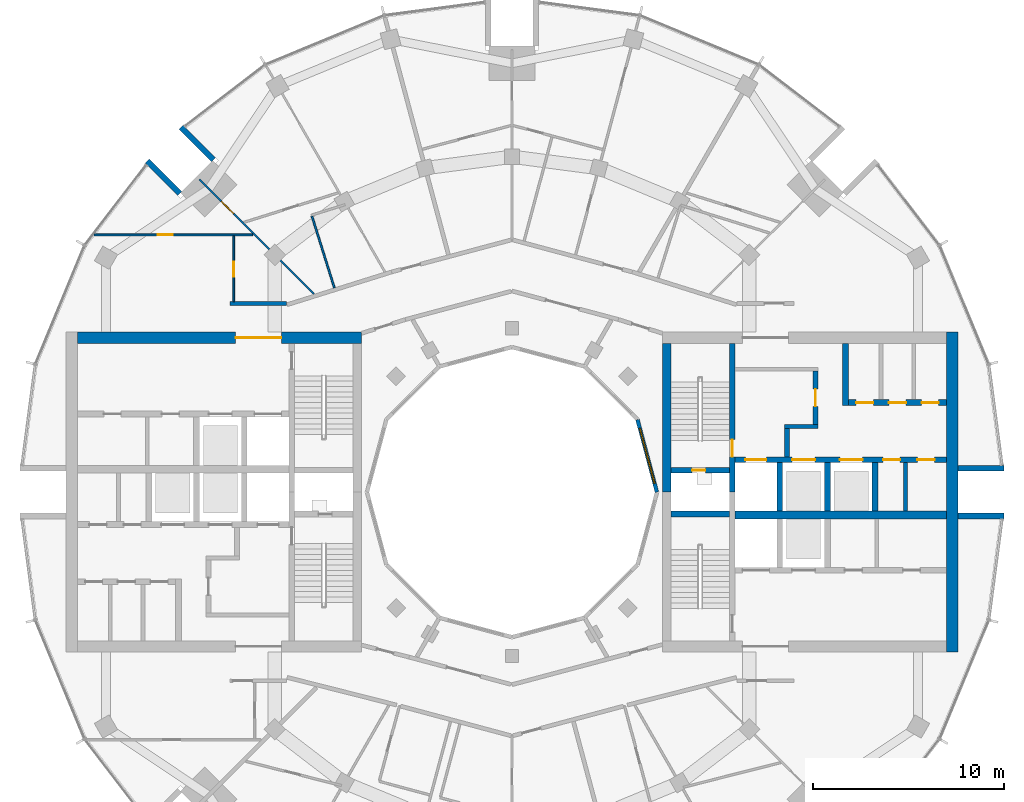
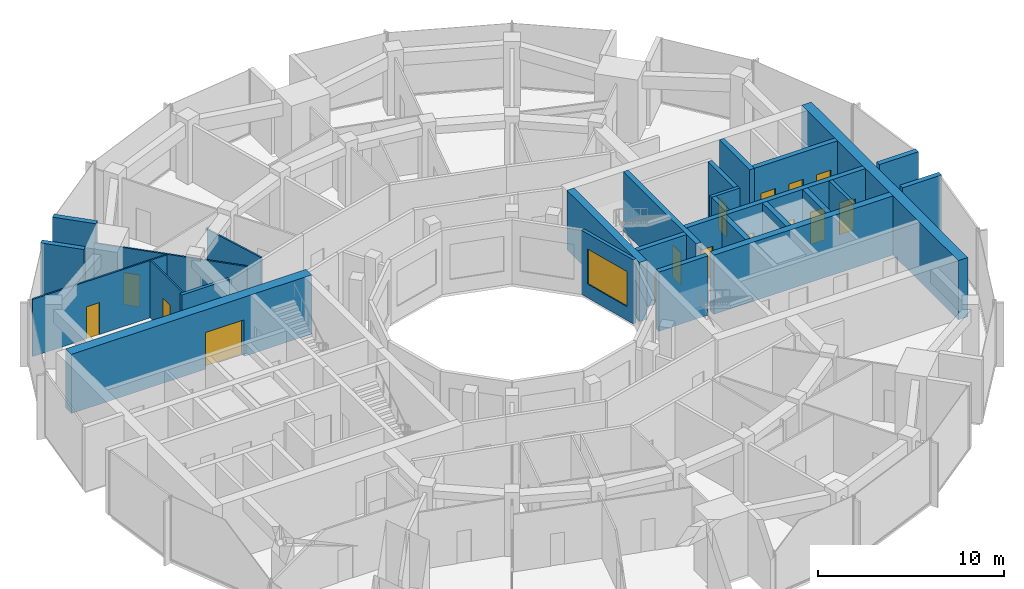
# One storey, part 11 of 15: 27 walls, 15 doors, 1 window, 16 openings.
"""IFC4 building model written with IfcOpenShell, lengths in metres."""

from ifc_helpers import new_model, si_unit, direction, frame, frame_2d, origin, place, context, subcontext, project, spatial, rectangle, extrude, material, layer, layer_set, type_object, element, fill, save


model = new_model("IFC4")

# Units and contexts
model_context = context("Model", 3, precision=1e-05, world=origin(), true_north=direction((0.0, 1.0)))
body_context = subcontext(model_context, "Body", "Model", "MODEL_VIEW")
ifc_project = project(units=[si_unit("LENGTHUNIT", "METRE"), si_unit("AREAUNIT", "SQUARE_METRE"), si_unit("VOLUMEUNIT", "CUBIC_METRE"), si_unit("PLANEANGLEUNIT", "RADIAN"), si_unit("MASSUNIT", "GRAM", prefix="KILO")], contexts=[model_context])

# Site, building, storey
site_placement = place(None, origin())
site = spatial("IfcSite", under=ifc_project, at=site_placement, CompositionType="ELEMENT")
building_placement = place(site_placement, origin())
building = spatial("IfcBuilding", under=site, at=building_placement, Name="Torre Brocal", CompositionType="ELEMENT")
storey_placement = place(building_placement, frame((0.0, 0.0, 254.10009765625)))
storey = spatial("IfcBuildingStorey", under=building, at=storey_placement, Name="L58", CompositionType="ELEMENT", Elevation=254.10009765625)

# Walls
ifc_material_1 = material(Name="Masonry block", Category="masonry")
ifc_layer_1 = layer(ifc_material_1, 0.199951171875)
ifc_layer_set_1 = layer_set([ifc_layer_1], Name="Masonry block")
wall_type_1 = type_object("IfcWallType", Name="CORE PARTITION 200", PredefinedType="PARTITIONING", material=ifc_layer_set_1)
wall_1_placement = place(storey_placement, frame((100.639892578125, 74.0, 0.0), z_axis=(0.0, 0.0, 1.0), x_axis=(0.0, 1.0, 0.0)))
element("IfcWall", 1, at=wall_1_placement, inside=storey, type_object=wall_type_1, Name="Wall CP200", PredefinedType="PARTITIONING", context=body_context, shape_type="SweptSolid", body=[
    extrude(rectangle(XDim=2.550048828125, YDim=0.199951171875, at=frame_2d((1.27490234375, 0.0))), origin(), (0.0, 0.0, 1.0), 3.8798828125),
])
ifc_material_2 = material(Name="Concrete C60", Category="concrete")
ifc_layer_2 = layer(ifc_material_2, 0.199951171875)
ifc_layer_set_2 = layer_set([ifc_layer_2], Name="Concrete C60")
wall_type_2 = type_object("IfcWallType", Name="CORE WALL 200 C60", PredefinedType="SHEAR", material=ifc_layer_set_2)
wall_2_placement = place(storey_placement, frame((94.300048828125, 78.449951171875, 0.0), z_axis=(0.0, 0.0, 1.0), x_axis=(1.0, 0.0, 0.0)))
element("IfcWall", 2, at=wall_2_placement, inside=storey, type_object=wall_type_2, Name="Wall CW200-60", PredefinedType="SHEAR", context=body_context, shape_type="SweptSolid", body=[
    extrude(rectangle(XDim=1.75, YDim=0.199951171875, at=frame_2d((0.875, 0.0))), origin(), (0.0, 0.0, 1.0), 3.8798828125),
])

# Wall, opening, door
ifc_material_3 = material(Name="Concrete C60", Category="concrete")
ifc_layer_3 = layer(ifc_material_3, 0.25)
ifc_layer_set_3 = layer_set([ifc_layer_3], Name="Concrete C60")
wall_type_3 = type_object("IfcWallType", Name="CORE WALL 250 C60", PredefinedType="SHEAR", material=ifc_layer_set_3)
wall_3_placement = place(storey_placement, frame((95.925048828125, 78.550048828125, 0.0), z_axis=(0.0, 0.0, 1.0), x_axis=(0.0, 1.0, 0.0)))
wall_3 = element("IfcWall", 3, at=wall_3_placement, inside=storey, type_object=wall_type_3, Name="Wall CW250-60", PredefinedType="SHEAR", context=body_context, shape_type="SweptSolid", body=[
    extrude(rectangle(XDim=2.800048828125, YDim=0.25, at=frame_2d((1.39990234375, 0.0))), origin(), (0.0, 0.0, 1.0), 3.8798828125),
])
opening_1_placement = place(wall_3_placement, frame((0.949951171875, 0.0, 0.0)))
opening_1 = element("IfcOpeningElement", 4, at=opening_1_placement, cuts=wall_3, Name="Opening E-D08", PredefinedType="OPENING", context=body_context, shape_type="SweptSolid", body=[
    extrude(rectangle(XDim=0.89990234375, YDim=2.10009765625, at=frame_2d((0.449951171875, 1.050048828125))), frame((0.0, 0.135009765625, 0.0), z_axis=(0.0, -1.0, 0.0), x_axis=(1.0, 0.0, 0.0)), (0.0, 0.0, 1.0), 0.27001953125),
])
ifc_material_4 = material(Name="Steel A653", Category="steel")
door_type_1 = type_object("IfcDoorType", Name="LOBBY DOOR FD120 900X2100", OperationType="SINGLE_SWING_RIGHT", PredefinedType="DOOR", material=ifc_material_4)
door_1_placement = place(opening_1_placement, origin())
door_1 = element("IfcDoor", 5, at=door_1_placement, inside=storey, type_object=door_type_1, Name="Door E-D08", OperationType="SINGLE_SWING_LEFT", OverallHeight=2.10009765625, OverallWidth=0.89990234375, PredefinedType="DOOR", context=body_context, shape_type="SweptSolid", body=[
    extrude(rectangle(XDim=0.89990234375, YDim=2.10009765625, at=frame_2d((0.449951171875, 1.050048828125))), frame((0.0, 0.02490234375, 0.0), z_axis=(0.0, -1.0, 0.0), x_axis=(1.0, 0.0, 0.0)), (0.0, 0.0, 1.0), 0.050048828125),
])
fill(opening_1, door_1)

# Wall
wall_4_placement = place(storey_placement, frame((94.425048828125, 76.85009765625, 0.0), z_axis=(0.0, 0.0, 1.0), x_axis=(0.0, 1.0, 0.0)))
element("IfcWall", 6, at=wall_4_placement, inside=storey, type_object=wall_type_3, Name="Wall CW250-60", PredefinedType="SHEAR", context=body_context, shape_type="SweptSolid", body=[
    extrude(rectangle(XDim=1.5, YDim=0.25, at=frame_2d((0.75, 0.0))), origin(), (0.0, 0.0, 1.0), 3.8798828125),
])

# Wall, opening, door
ifc_material_5 = material(Name="Concrete C60", Category="concrete")
ifc_layer_4 = layer(ifc_material_5, 0.300048828125)
ifc_layer_set_4 = layer_set([ifc_layer_4], Name="Concrete C60")
wall_type_4 = type_object("IfcWallType", Name="CORE WALL 300 C60", PredefinedType="SHEAR", material=ifc_layer_set_4)
wall_5_placement = place(storey_placement, frame((91.550048828125, 75.0, 0.0), z_axis=(0.0, 0.0, 1.0), x_axis=(0.0, 1.0, 0.0)))
wall_5 = element("IfcWall", 7, at=wall_5_placement, inside=storey, type_object=wall_type_4, Name="Wall CW300-60", PredefinedType="SHEAR", context=body_context, shape_type="SweptSolid", body=[
    extrude(rectangle(XDim=7.800048828125, YDim=0.300048828125, at=frame_2d((3.89990234375, 0.0))), origin(), (0.0, 0.0, 1.0), 3.8798828125),
])
opening_2_placement = place(wall_5_placement, frame((1.85009765625, 0.0, 0.0)))
opening_2 = element("IfcOpeningElement", 8, at=opening_2_placement, cuts=wall_5, Name="Opening E-D02", PredefinedType="OPENING", context=body_context, shape_type="SweptSolid", body=[
    extrude(rectangle(XDim=0.89990234375, YDim=2.10009765625, at=frame_2d((0.449951171875, 1.050048828125))), frame((0.0, 0.159912109375, 0.0), z_axis=(0.0, -1.0, 0.0), x_axis=(1.0, 0.0, 0.0)), (0.0, 0.0, 1.0), 0.320068359375),
])
ifc_material_6 = material(Name="Steel A653", Category="steel")
door_type_2 = type_object("IfcDoorType", Name="STAIR DOOR FD120 900X2100", OperationType="SINGLE_SWING_RIGHT", PredefinedType="DOOR", material=ifc_material_6)
door_2_placement = place(opening_2_placement, origin())
door_2 = element("IfcDoor", 9, at=door_2_placement, inside=storey, type_object=door_type_2, Name="Door E-D02", OperationType="SINGLE_SWING_LEFT", OverallHeight=2.10009765625, OverallWidth=0.89990234375, PredefinedType="DOOR", context=body_context, shape_type="SweptSolid", body=[
    extrude(rectangle(XDim=0.89990234375, YDim=2.10009765625, at=frame_2d((0.449951171875, 1.050048828125))), frame((0.0, 0.02490234375, 0.0), z_axis=(0.0, -1.0, 0.0), x_axis=(1.0, 0.0, 0.0)), (0.0, 0.0, 1.0), 0.050048828125),
])
fill(opening_2, door_2)

wall_6_placement = place(storey_placement, frame((88.35009765625, 76.14990234375, 0.0), z_axis=(0.0, 0.0, 1.0), x_axis=(1.0, 0.0, 0.0)))
wall_6 = element("IfcWall", 10, at=wall_6_placement, inside=storey, type_object=wall_type_4, Name="Wall CW300-60", PredefinedType="SHEAR", context=body_context, shape_type="SweptSolid", body=[
    extrude(rectangle(XDim=3.0498046875, YDim=0.300048828125, at=frame_2d((1.52490234375, 0.0))), origin(), (0.0, 0.0, 1.0), 3.8798828125),
])
opening_3_placement = place(wall_6_placement, frame((1.10009765625, 0.0, 0.0)))
opening_3 = element("IfcOpeningElement", 11, at=opening_3_placement, cuts=wall_6, Name="Opening E-D01", PredefinedType="OPENING", context=body_context, shape_type="SweptSolid", body=[
    extrude(rectangle(XDim=0.699951171875, YDim=2.0, at=frame_2d((0.35009765625, 1.0))), frame((0.0, 0.159912109375, 0.0), z_axis=(0.0, -1.0, 0.0), x_axis=(1.0, 0.0, 0.0)), (0.0, 0.0, 1.0), 0.320068359375),
])
ifc_material_7 = material(Name="Steel A653", Category="steel")
door_type_3 = type_object("IfcDoorType", Name="RISER DOOR FD120 700X2000", OperationType="SINGLE_SWING_LEFT", PredefinedType="DOOR", material=ifc_material_7)
door_3_placement = place(opening_3_placement, frame((0.699951171875, 0.0, 0.0), z_axis=(0.0, 0.0, 1.0), x_axis=(-1.0, 0.0, 0.0)))
door_3 = element("IfcDoor", 12, at=door_3_placement, inside=storey, type_object=door_type_3, Name="Door E-D01", OperationType="SINGLE_SWING_RIGHT", OverallHeight=2.0, OverallWidth=0.699951171875, PredefinedType="DOOR", context=body_context, shape_type="SweptSolid", body=[
    extrude(rectangle(XDim=0.699951171875, YDim=2.0, at=frame_2d((0.35009765625, 1.0))), frame((0.0, 0.02490234375, 0.0), z_axis=(0.0, -1.0, 0.0), x_axis=(1.0, 0.0, 0.0)), (0.0, 0.0, 1.0), 0.050048828125),
])
fill(opening_3, door_3)

# Wall
wall_7_placement = place(storey_placement, frame((88.35009765625, 73.85009765625, 0.0), z_axis=(0.0, 0.0, 1.0), x_axis=(1.0, 0.0, 0.0)))
element("IfcWall", 13, at=wall_7_placement, inside=storey, type_object=wall_type_4, Name="Wall CW300-60", PredefinedType="SHEAR", context=body_context, shape_type="SweptSolid", body=[
    extrude(rectangle(XDim=3.0498046875, YDim=0.300048828125, at=frame_2d((1.52490234375, 0.0))), origin(), (0.0, 0.0, 1.0), 3.8798828125),
])

# Wall, openings, doors
wall_8_placement = place(storey_placement, frame((91.699951171875, 76.699951171875, 0.0), z_axis=(0.0, 0.0, 1.0), x_axis=(1.0, 0.0, 0.0)))
wall_8 = element("IfcWall", 14, at=wall_8_placement, inside=storey, type_object=wall_type_4, Name="Wall CW300-60", PredefinedType="SHEAR", context=body_context, shape_type="SweptSolid", body=[
    extrude(rectangle(XDim=11.10009765625, YDim=0.300048828125, at=frame_2d((5.550048828125, 0.0))), origin(), (0.0, 0.0, 1.0), 3.8798828125),
])
opening_4_placement = place(wall_8_placement, frame((0.550048828125, 0.0, 0.0)))
opening_4 = element("IfcOpeningElement", 15, at=opening_4_placement, cuts=wall_8, Name="Opening LD", PredefinedType="OPENING", context=body_context, shape_type="SweptSolid", body=[
    extrude(rectangle(XDim=1.10009765625, YDim=2.10009765625, at=frame_2d((0.550048828125, 1.050048828125))), frame((0.0, 0.159912109375, 0.0), z_axis=(0.0, -1.0, 0.0), x_axis=(1.0, 0.0, 0.0)), (0.0, 0.0, 1.0), 0.320068359375),
])
opening_5_placement = place(wall_8_placement, frame((3.0, 0.0, 0.0)))
opening_5 = element("IfcOpeningElement", 16, at=opening_5_placement, cuts=wall_8, Name="Opening LD12", PredefinedType="OPENING", context=body_context, shape_type="SweptSolid", body=[
    extrude(rectangle(XDim=1.199951171875, YDim=2.10009765625, at=frame_2d((0.60009765625, 1.050048828125))), frame((0.0, 0.159912109375, 0.0), z_axis=(0.0, -1.0, 0.0), x_axis=(1.0, 0.0, 0.0)), (0.0, 0.0, 1.0), 0.320068359375),
])
opening_6_placement = place(wall_8_placement, frame((5.5, 0.0, 0.0)))
opening_6 = element("IfcOpeningElement", 17, at=opening_6_placement, cuts=wall_8, Name="Opening LD12", PredefinedType="OPENING", context=body_context, shape_type="SweptSolid", body=[
    extrude(rectangle(XDim=1.199951171875, YDim=2.10009765625, at=frame_2d((0.60009765625, 1.050048828125))), frame((0.0, 0.159912109375, 0.0), z_axis=(0.0, -1.0, 0.0), x_axis=(1.0, 0.0, 0.0)), (0.0, 0.0, 1.0), 0.320068359375),
])
opening_7_placement = place(wall_8_placement, frame((7.77001953125, 0.0, 0.0)))
opening_7 = element("IfcOpeningElement", 18, at=opening_7_placement, cuts=wall_8, Name="Opening E-D04", PredefinedType="OPENING", context=body_context, shape_type="SweptSolid", body=[
    extrude(rectangle(XDim=0.89990234375, YDim=2.10009765625, at=frame_2d((0.449951171875, 1.050048828125))), frame((0.0, 0.159912109375, 0.0), z_axis=(0.0, -1.0, 0.0), x_axis=(1.0, 0.0, 0.0)), (0.0, 0.0, 1.0), 0.320068359375),
])
opening_8_placement = place(wall_8_placement, frame((9.570068359375, 0.0, 0.0)))
opening_8 = element("IfcOpeningElement", 19, at=opening_8_placement, cuts=wall_8, Name="Opening E-D05", PredefinedType="OPENING", context=body_context, shape_type="SweptSolid", body=[
    extrude(rectangle(XDim=0.89990234375, YDim=2.10009765625, at=frame_2d((0.449951171875, 1.050048828125))), frame((0.0, 0.159912109375, 0.0), z_axis=(0.0, -1.0, 0.0), x_axis=(1.0, 0.0, 0.0)), (0.0, 0.0, 1.0), 0.320068359375),
])
ifc_material_8 = material(Name="Stainless steel AISI 316", Category="steel")
door_type_4 = type_object("IfcDoorType", Name="LIFT LANDING DOOR 1100X2100", OperationType="DOUBLE_DOOR_SLIDING", PredefinedType="DOOR", material=ifc_material_8)
door_4_placement = place(opening_4_placement, origin())
door_4 = element("IfcDoor", 20, at=door_4_placement, inside=storey, type_object=door_type_4, Name="Door LD", OperationType="DOUBLE_DOOR_SLIDING", OverallHeight=2.10009765625, OverallWidth=1.10009765625, PredefinedType="DOOR", context=body_context, shape_type="SweptSolid", body=[
    extrude(rectangle(XDim=1.10009765625, YDim=2.10009765625, at=frame_2d((0.550048828125, 1.050048828125))), frame((0.0, 0.02490234375, 0.0), z_axis=(0.0, -1.0, 0.0), x_axis=(1.0, 0.0, 0.0)), (0.0, 0.0, 1.0), 0.050048828125),
])
fill(opening_4, door_4)
ifc_material_9 = material(Name="Stainless steel AISI 316", Category="steel")
door_type_5 = type_object("IfcDoorType", Name="LIFT LANDING DOOR 1200X2100", OperationType="DOUBLE_DOOR_SLIDING", PredefinedType="DOOR", material=ifc_material_9)
door_5_placement = place(opening_5_placement, origin())
door_5 = element("IfcDoor", 21, at=door_5_placement, inside=storey, type_object=door_type_5, Name="Door LD12", OperationType="DOUBLE_DOOR_SLIDING", OverallHeight=2.10009765625, OverallWidth=1.199951171875, PredefinedType="DOOR", context=body_context, shape_type="SweptSolid", body=[
    extrude(rectangle(XDim=1.199951171875, YDim=2.10009765625, at=frame_2d((0.60009765625, 1.050048828125))), frame((0.0, 0.02490234375, 0.0), z_axis=(0.0, -1.0, 0.0), x_axis=(1.0, 0.0, 0.0)), (0.0, 0.0, 1.0), 0.050048828125),
])
fill(opening_5, door_5)
door_6_placement = place(opening_6_placement, origin())
door_6 = element("IfcDoor", 22, at=door_6_placement, inside=storey, type_object=door_type_5, Name="Door LD12", OperationType="DOUBLE_DOOR_SLIDING", OverallHeight=2.10009765625, OverallWidth=1.199951171875, PredefinedType="DOOR", context=body_context, shape_type="SweptSolid", body=[
    extrude(rectangle(XDim=1.199951171875, YDim=2.10009765625, at=frame_2d((0.60009765625, 1.050048828125))), frame((0.0, 0.02490234375, 0.0), z_axis=(0.0, -1.0, 0.0), x_axis=(1.0, 0.0, 0.0)), (0.0, 0.0, 1.0), 0.050048828125),
])
fill(opening_6, door_6)
ifc_material_10 = material(Name="Steel A653", Category="steel")
door_type_6 = type_object("IfcDoorType", Name="ROOM DOOR FD30S 900X2100", OperationType="SINGLE_SWING_LEFT", PredefinedType="DOOR", material=ifc_material_10)
door_7_placement = place(opening_7_placement, frame((0.89990234375, 0.0, 0.0), z_axis=(0.0, 0.0, 1.0), x_axis=(-1.0, 0.0, 0.0)))
door_7 = element("IfcDoor", 23, at=door_7_placement, inside=storey, type_object=door_type_6, Name="Door E-D04", OperationType="SINGLE_SWING_LEFT", OverallHeight=2.10009765625, OverallWidth=0.89990234375, PredefinedType="DOOR", context=body_context, shape_type="SweptSolid", body=[
    extrude(rectangle(XDim=0.89990234375, YDim=2.10009765625, at=frame_2d((0.449951171875, 1.050048828125))), frame((0.0, 0.02490234375, 0.0), z_axis=(0.0, -1.0, 0.0), x_axis=(1.0, 0.0, 0.0)), (0.0, 0.0, 1.0), 0.050048828125),
])
fill(opening_7, door_7)
door_8_placement = place(opening_8_placement, frame((0.89990234375, 0.0, 0.0), z_axis=(0.0, 0.0, 1.0), x_axis=(-1.0, 0.0, 0.0)))
door_8 = element("IfcDoor", 24, at=door_8_placement, inside=storey, type_object=door_type_6, Name="Door E-D05", OperationType="SINGLE_SWING_RIGHT", OverallHeight=2.10009765625, OverallWidth=0.89990234375, PredefinedType="DOOR", context=body_context, shape_type="SweptSolid", body=[
    extrude(rectangle(XDim=0.89990234375, YDim=2.10009765625, at=frame_2d((0.449951171875, 1.050048828125))), frame((0.0, 0.02490234375, 0.0), z_axis=(0.0, -1.0, 0.0), x_axis=(1.0, 0.0, 0.0)), (0.0, 0.0, 1.0), 0.050048828125),
])
fill(opening_8, door_8)

# Walls
for number, where, z_axis, x_axis, name in (
    (25, (94.050048828125, 74.0, 0.0), (0.0, 0.0, 1.0), (0.0, 1.0, 0.0), "Wall CW300-60"),
    (26, (96.550048828125, 74.0, 0.0), (0.0, 0.0, 1.0), (0.0, 1.0, 0.0), "Wall CW300-60"),
    (27, (99.050048828125, 74.0, 0.0), (0.0, 0.0, 1.0), (0.0, 1.0, 0.0), "Wall CW300-60"),
):
    element("IfcWall", number, at=place(storey_placement, frame(where, z_axis=z_axis, x_axis=x_axis)), inside=storey, type_object=wall_type_4, Name=name, PredefinedType="SHEAR", context=body_context, shape_type="SweptSolid", body=[
        extrude(rectangle(XDim=2.550048828125, YDim=0.300048828125, at=frame_2d((1.27490234375, 0.0))), origin(), (0.0, 0.0, 1.0), 3.8798828125),
    ])
wall_9_placement = place(storey_placement, frame((97.5, 79.550048828125, 0.0), z_axis=(0.0, 0.0, 1.0), x_axis=(0.0, 1.0, 0.0)))
element("IfcWall", 28, at=wall_9_placement, inside=storey, type_object=wall_type_4, Name="Wall CW300-60", PredefinedType="SHEAR", context=body_context, shape_type="SweptSolid", body=[
    extrude(rectangle(XDim=3.25, YDim=0.300048828125, at=frame_2d((1.625, 0.0))), origin(), (0.0, 0.0, 1.0), 3.8798828125),
])

# Wall, openings, doors
wall_10_placement = place(storey_placement, frame((97.64990234375, 79.699951171875, 0.0), z_axis=(0.0, 0.0, 1.0), x_axis=(1.0, 0.0, 0.0)))
wall_10 = element("IfcWall", 29, at=wall_10_placement, inside=storey, type_object=wall_type_4, Name="Wall CW300-60", PredefinedType="SHEAR", context=body_context, shape_type="SweptSolid", body=[
    extrude(rectangle(XDim=5.150146484375, YDim=0.300048828125, at=frame_2d((2.5751953125, 0.0))), origin(), (0.0, 0.0, 1.0), 3.8798828125),
])
opening_9_placement = place(wall_10_placement, frame((0.408203125, 0.0, 0.0)))
opening_9 = element("IfcOpeningElement", 30, at=opening_9_placement, cuts=wall_10, Name="Opening E-D09", PredefinedType="OPENING", context=body_context, shape_type="SweptSolid", body=[
    extrude(rectangle(XDim=0.89990234375, YDim=2.10009765625, at=frame_2d((0.449951171875, 1.050048828125))), frame((0.0, 0.159912109375, 0.0), z_axis=(0.0, -1.0, 0.0), x_axis=(1.0, 0.0, 0.0)), (0.0, 0.0, 1.0), 0.320068359375),
])
opening_10_placement = place(wall_10_placement, frame((2.125, 0.0, 0.0)))
opening_10 = element("IfcOpeningElement", 31, at=opening_10_placement, cuts=wall_10, Name="Opening E-D10", PredefinedType="OPENING", context=body_context, shape_type="SweptSolid", body=[
    extrude(rectangle(XDim=0.89990234375, YDim=2.10009765625, at=frame_2d((0.449951171875, 1.050048828125))), frame((0.0, 0.159912109375, 0.0), z_axis=(0.0, -1.0, 0.0), x_axis=(1.0, 0.0, 0.0)), (0.0, 0.0, 1.0), 0.320068359375),
])
opening_11_placement = place(wall_10_placement, frame((3.841796875, 0.0, 0.0)))
opening_11 = element("IfcOpeningElement", 32, at=opening_11_placement, cuts=wall_10, Name="Opening E-D11", PredefinedType="OPENING", context=body_context, shape_type="SweptSolid", body=[
    extrude(rectangle(XDim=0.89990234375, YDim=2.10009765625, at=frame_2d((0.449951171875, 1.050048828125))), frame((0.0, 0.159912109375, 0.0), z_axis=(0.0, -1.0, 0.0), x_axis=(1.0, 0.0, 0.0)), (0.0, 0.0, 1.0), 0.320068359375),
])
door_9_placement = place(opening_9_placement, origin())
door_9 = element("IfcDoor", 33, at=door_9_placement, inside=storey, type_object=door_type_6, Name="Door E-D09", OperationType="SINGLE_SWING_RIGHT", OverallHeight=2.10009765625, OverallWidth=0.89990234375, PredefinedType="DOOR", context=body_context, shape_type="SweptSolid", body=[
    extrude(rectangle(XDim=0.89990234375, YDim=2.10009765625, at=frame_2d((0.449951171875, 1.050048828125))), frame((0.0, 0.02490234375, 0.0), z_axis=(0.0, -1.0, 0.0), x_axis=(1.0, 0.0, 0.0)), (0.0, 0.0, 1.0), 0.050048828125),
])
fill(opening_9, door_9)
door_10_placement = place(opening_10_placement, origin())
door_10 = element("IfcDoor", 34, at=door_10_placement, inside=storey, type_object=door_type_6, Name="Door E-D10", OperationType="SINGLE_SWING_RIGHT", OverallHeight=2.10009765625, OverallWidth=0.89990234375, PredefinedType="DOOR", context=body_context, shape_type="SweptSolid", body=[
    extrude(rectangle(XDim=0.89990234375, YDim=2.10009765625, at=frame_2d((0.449951171875, 1.050048828125))), frame((0.0, 0.02490234375, 0.0), z_axis=(0.0, -1.0, 0.0), x_axis=(1.0, 0.0, 0.0)), (0.0, 0.0, 1.0), 0.050048828125),
])
fill(opening_10, door_10)
door_11_placement = place(opening_11_placement, origin())
door_11 = element("IfcDoor", 35, at=door_11_placement, inside=storey, type_object=door_type_6, Name="Door E-D11", OperationType="SINGLE_SWING_LEFT", OverallHeight=2.10009765625, OverallWidth=0.89990234375, PredefinedType="DOOR", context=body_context, shape_type="SweptSolid", body=[
    extrude(rectangle(XDim=0.89990234375, YDim=2.10009765625, at=frame_2d((0.449951171875, 1.050048828125))), frame((0.0, 0.02490234375, 0.0), z_axis=(0.0, -1.0, 0.0), x_axis=(1.0, 0.0, 0.0)), (0.0, 0.0, 1.0), 0.050048828125),
])
fill(opening_11, door_11)

# Walls
ifc_material_11 = material(Name="Concrete C60", Category="concrete")
ifc_layer_5 = layer(ifc_material_11, 0.39990234375)
ifc_layer_set_5 = layer_set([ifc_layer_5], Name="Concrete C60")
wall_type_5 = type_object("IfcWallType", Name="CORE WALL 400 C60", PredefinedType="SHEAR", material=ifc_layer_set_5)
wall_11_placement = place(storey_placement, frame((91.699951171875, 73.800048828125, 0.0), z_axis=(0.0, 0.0, 1.0), x_axis=(1.0, 0.0, 0.0)))
element("IfcWall", 36, at=wall_11_placement, inside=storey, type_object=wall_type_5, Name="Wall CW400-60", PredefinedType="SHEAR", context=body_context, shape_type="SweptSolid", body=[
    extrude(rectangle(XDim=11.10009765625, YDim=0.39990234375, at=frame_2d((5.550048828125, 0.0))), origin(), (0.0, 0.0, 1.0), 3.8798828125),
])
ifc_material_12 = material(Name="Concrete C60", Category="concrete")
ifc_layer_6 = layer(ifc_material_12, 0.449951171875)
ifc_layer_set_6 = layer_set([ifc_layer_6], Name="Concrete C60")
wall_type_6 = type_object("IfcWallType", Name="CORE WALL 450 C60", PredefinedType="SHEAR", material=ifc_layer_set_6)
wall_12_placement = place(storey_placement, frame((88.125, 75.0, 0.0), z_axis=(0.0, 0.0, 1.0), x_axis=(0.0, 1.0, 0.0)))
element("IfcWall", 37, at=wall_12_placement, inside=storey, type_object=wall_type_6, Name="Wall CW450-60", PredefinedType="SHEAR", context=body_context, shape_type="SweptSolid", body=[
    extrude(rectangle(XDim=7.800048828125, YDim=0.449951171875, at=frame_2d((3.89990234375, 0.0))), origin(), (0.0, 0.0, 1.0), 3.8798828125),
])
ifc_material_13 = material(Name="Concrete C60", Category="concrete")
ifc_layer_7 = layer(ifc_material_13, 0.60009765625)
ifc_layer_set_7 = layer_set([ifc_layer_7], Name="Concrete C60")
wall_type_7 = type_object("IfcWallType", Name="CORE WALL 600 C60", PredefinedType="SHEAR", material=ifc_layer_set_7)
wall_13_placement = place(storey_placement, frame((103.10009765625, 66.60009765625, 0.0), z_axis=(0.0, 0.0, 1.0), x_axis=(0.0, 1.0, 0.0)))
element("IfcWall", 38, at=wall_13_placement, inside=storey, type_object=wall_type_7, Name="Wall CW600-60", PredefinedType="SHEAR", context=body_context, shape_type="SweptSolid", body=[
    extrude(rectangle(XDim=16.7998046875, YDim=0.60009765625, at=frame_2d((8.39990234375, 0.0))), origin(), (0.0, 0.0, 1.0), 3.8798828125),
])

# Wall, opening, door
wall_14_placement = place(storey_placement, frame((72.10009765625, 83.10009765625, 0.0), z_axis=(0.0, 0.0, 1.0), x_axis=(-1.0, 0.0, 0.0)))
wall_14 = element("IfcWall", 39, at=wall_14_placement, inside=storey, type_object=wall_type_7, Name="Wall CW600-60", PredefinedType="SHEAR", context=body_context, shape_type="SweptSolid", body=[
    extrude(rectangle(XDim=14.900146484375, YDim=0.60009765625, at=frame_2d((7.4501953125, 0.0))), origin(), (0.0, 0.0, 1.0), 3.8798828125),
])
opening_12_placement = place(wall_14_placement, frame((4.199951171875, 0.0, 0.0)))
opening_12 = element("IfcOpeningElement", 40, at=opening_12_placement, cuts=wall_14, Name="Opening W-D13", PredefinedType="OPENING", context=body_context, shape_type="SweptSolid", body=[
    extrude(rectangle(XDim=2.39990234375, YDim=2.39990234375, at=frame_2d((1.199951171875, 1.199951171875))), frame((0.0, 0.31005859375, 0.0), z_axis=(0.0, -1.0, 0.0), x_axis=(1.0, 0.0, 0.0)), (0.0, 0.0, 1.0), 0.6201171875),
])
ifc_material_14 = material(Name="Steel A653", Category="steel")
door_type_7 = type_object("IfcDoorType", Name="DOUBLE FIRE DOOR FD90 2400X2400", OperationType="DOUBLE_DOOR_SINGLE_SWING", PredefinedType="DOOR", material=ifc_material_14)
door_12_placement = place(opening_12_placement, origin())
door_12 = element("IfcDoor", 41, at=door_12_placement, inside=storey, type_object=door_type_7, Name="Door W-D13", OperationType="DOUBLE_DOOR_SINGLE_SWING", OverallHeight=2.39990234375, OverallWidth=2.39990234375, PredefinedType="DOOR", context=body_context, shape_type="SweptSolid", body=[
    extrude(rectangle(XDim=2.39990234375, YDim=2.39990234375, at=frame_2d((1.199951171875, 1.199951171875))), frame((0.0, 0.02490234375, 0.0), z_axis=(0.0, -1.0, 0.0), x_axis=(1.0, 0.0, 0.0)), (0.0, 0.0, 1.0), 0.050048828125),
])
fill(opening_12, door_12)

# Walls
ifc_material_15 = material(Name="Concrete C60", Category="concrete")
ifc_layer_8 = layer(ifc_material_15, 0.300048828125)
ifc_layer_set_8 = layer_set([ifc_layer_8], Name="Concrete C60")
wall_type_8 = type_object("IfcWallType", Name="NOTCH RETURN WALL 300 C60", PredefinedType="NOTDEFINED", material=ifc_layer_set_8)
for number, where, z_axis, x_axis, name in (
    (42, (103.39990234375, 73.75, 0.0), (0.0, 0.0, 1.0), (1.0, 0.0, 0.0), "NOTCH RETURN WALL"),
    (43, (103.39990234375, 76.25, 0.0), (0.0, 0.0, 1.0), (1.0, 0.0, 0.0), "NOTCH RETURN WALL"),
    (44, (64.337646484375, 92.43017578125, 0.0), (0.0, 0.0, 1.0), (-0.707106781187, 0.707106781187, 0.0), "NOTCH RETURN WALL"),
    (45, (62.56982421875, 90.662353515625, 0.0), (0.0, 0.0, 1.0), (-0.707106781187, 0.707106781187, 0.0), "NOTCH RETURN WALL"),
):
    element("IfcWall", number, at=place(storey_placement, frame(where, z_axis=z_axis, x_axis=x_axis)), inside=storey, type_object=wall_type_8, Name=name, PredefinedType="NOTDEFINED", context=body_context, shape_type="SweptSolid", body=[
        extrude(rectangle(XDim=2.415771484375, YDim=0.300048828125, at=frame_2d((1.2080078125, 0.0))), origin(), (0.0, 0.0, 1.0), 4.199951171875),
    ])

# Wall, opening, door
ifc_material_16 = material(Name="Gypsum board", Category="Gypsum")
ifc_layer_9 = layer(ifc_material_16, 0.10009765625)
ifc_layer_set_9 = layer_set([ifc_layer_9], Name="Gypsum board")
wall_type_9 = type_object("IfcWallType", Name="PARTITION 100", PredefinedType="PARTITIONING", material=ifc_layer_set_9)
wall_15_placement = place(storey_placement, frame((58.072021484375, 88.5, 0.0), z_axis=(0.0, 0.0, 1.0), x_axis=(1.0, 0.0, 0.0)))
wall_15 = element("IfcWall", 46, at=wall_15_placement, inside=storey, type_object=wall_type_9, Name="BATHROOM WALL", PredefinedType="PARTITIONING", context=body_context, shape_type="SweptSolid", body=[
    extrude(rectangle(XDim=8.31884765625, YDim=0.10009765625, at=frame_2d((4.159423828125, 0.0))), origin(), (0.0, 0.0, 1.0), 3.75),
])
opening_13_placement = place(wall_15_placement, frame((3.3291015625, 0.0, 0.0)))
opening_13 = element("IfcOpeningElement", 47, at=opening_13_placement, cuts=wall_15, Name="Opening B04-D17", PredefinedType="OPENING", context=body_context, shape_type="SweptSolid", body=[
    extrude(rectangle(XDim=0.800048828125, YDim=2.10009765625, at=frame_2d((0.39990234375, 1.050048828125))), frame((0.0, 0.06005859375, 0.0), z_axis=(0.0, -1.0, 0.0), x_axis=(1.0, 0.0, 0.0)), (0.0, 0.0, 1.0), 0.1201171875),
])
ifc_material_17 = material(Name="Timber", Category="wood")
door_type_8 = type_object("IfcDoorType", Name="BATHROOM DOOR 800X2100", OperationType="SINGLE_SWING_LEFT", PredefinedType="DOOR", material=ifc_material_17)
door_13_placement = place(opening_13_placement, origin())
door_13 = element("IfcDoor", 48, at=door_13_placement, inside=storey, type_object=door_type_8, Name="B04-D17", OperationType="SINGLE_SWING_LEFT", OverallHeight=2.10009765625, OverallWidth=0.800048828125, PredefinedType="DOOR", context=body_context, shape_type="SweptSolid", body=[
    extrude(rectangle(XDim=0.800048828125, YDim=2.10009765625, at=frame_2d((0.39990234375, 1.050048828125))), frame((0.0, 0.02490234375, 0.0), z_axis=(0.0, -1.0, 0.0), x_axis=(1.0, 0.0, 0.0)), (0.0, 0.0, 1.0), 0.050048828125),
])
fill(opening_13, door_13)

wall_16_placement = place(storey_placement, frame((63.597412109375, 91.406982421875, 0.0), z_axis=(0.0, 0.0, 1.0), x_axis=(0.70700623685, -0.707207311228, 0.0)))
wall_16 = element("IfcWall", 49, at=wall_16_placement, inside=storey, type_object=wall_type_9, Name="BATHROOM WALL", PredefinedType="PARTITIONING", context=body_context, shape_type="SweptSolid", body=[
    extrude(rectangle(XDim=8.499267578125, YDim=0.10009765625, at=frame_2d((4.24951171875, 0.0))), origin(), (0.0, 0.0, 1.0), 3.75),
])
opening_14_placement = place(wall_16_placement, frame((1.6318359375, 0.0, 0.0)))
opening_14 = element("IfcOpeningElement", 50, at=opening_14_placement, cuts=wall_16, Name="Opening B04-D15", PredefinedType="OPENING", context=body_context, shape_type="SweptSolid", body=[
    extrude(rectangle(XDim=0.89990234375, YDim=2.10009765625, at=frame_2d((0.449951171875, 1.050048828125))), frame((0.0, 0.06005859375, 0.0), z_axis=(0.0, -1.0, 0.0), x_axis=(1.0, 0.0, 0.0)), (0.0, 0.0, 1.0), 0.1201171875),
])
ifc_material_18 = material(Name="Timber", Category="wood")
door_type_9 = type_object("IfcDoorType", Name="ROOM DOOR 900X2100", OperationType="SINGLE_SWING_LEFT", PredefinedType="DOOR", material=ifc_material_18)
door_14_placement = place(opening_14_placement, frame((0.89990234375, 0.0, 0.0), z_axis=(0.0, 0.0, 1.0), x_axis=(-1.0, 0.0, 0.0)))
door_14 = element("IfcDoor", 51, at=door_14_placement, inside=storey, type_object=door_type_9, Name="B04-D15", OperationType="SINGLE_SWING_LEFT", OverallHeight=2.10009765625, OverallWidth=0.89990234375, PredefinedType="DOOR", context=body_context, shape_type="SweptSolid", body=[
    extrude(rectangle(XDim=0.89990234375, YDim=2.10009765625, at=frame_2d((0.449951171875, 1.050048828125))), frame((0.0, 0.02490234375, 0.0), z_axis=(0.0, -1.0, 0.0), x_axis=(1.0, 0.0, 0.0)), (0.0, 0.0, 1.0), 0.050048828125),
])
fill(opening_14, door_14)

wall_17_placement = place(storey_placement, frame((65.39990234375, 85.0, 0.0), z_axis=(0.0, 0.0, 1.0), x_axis=(0.0, 1.0, 0.0)))
wall_17 = element("IfcWall", 52, at=wall_17_placement, inside=storey, type_object=wall_type_9, Name="BATHROOM WALL", PredefinedType="PARTITIONING", context=body_context, shape_type="SweptSolid", body=[
    extrude(rectangle(XDim=3.449951171875, YDim=0.10009765625, at=frame_2d((1.72509765625, 0.0))), origin(), (0.0, 0.0, 1.0), 3.75),
])
opening_15_placement = place(wall_17_placement, frame((1.300048828125, 0.0, 0.0)))
opening_15 = element("IfcOpeningElement", 53, at=opening_15_placement, cuts=wall_17, Name="Opening B04-D16", PredefinedType="OPENING", context=body_context, shape_type="SweptSolid", body=[
    extrude(rectangle(XDim=0.800048828125, YDim=2.10009765625, at=frame_2d((0.39990234375, 1.050048828125))), frame((0.0, 0.06005859375, 0.0), z_axis=(0.0, -1.0, 0.0), x_axis=(1.0, 0.0, 0.0)), (0.0, 0.0, 1.0), 0.1201171875),
])
door_15_placement = place(opening_15_placement, frame((0.800048828125, 0.0, 0.0), z_axis=(0.0, 0.0, 1.0), x_axis=(-1.0, 0.0, 0.0)))
door_15 = element("IfcDoor", 54, at=door_15_placement, inside=storey, type_object=door_type_8, Name="B04-D16", OperationType="SINGLE_SWING_RIGHT", OverallHeight=2.10009765625, OverallWidth=0.800048828125, PredefinedType="DOOR", context=body_context, shape_type="SweptSolid", body=[
    extrude(rectangle(XDim=0.800048828125, YDim=2.10009765625, at=frame_2d((0.39990234375, 1.050048828125))), frame((0.0, 0.02490234375, 0.0), z_axis=(0.0, -1.0, 0.0), x_axis=(1.0, 0.0, 0.0)), (0.0, 0.0, 1.0), 0.050048828125),
])
fill(opening_15, door_15)

# Walls
wall_18_placement = place(storey_placement, frame((69.5009765625, 89.486328125, 0.0), z_axis=(0.0, 0.0, 1.0), x_axis=(0.298971609069, -0.954262006459, 0.0)))
element("IfcWall", 55, at=wall_18_placement, inside=storey, type_object=wall_type_9, Name="BATHROOM WALL", PredefinedType="PARTITIONING", context=body_context, shape_type="SweptSolid", body=[
    extrude(rectangle(XDim=3.95068359375, YDim=0.10009765625, at=frame_2d((1.975341796875, 0.0))), origin(), (0.0, 0.0, 1.0), 3.75),
])
ifc_material_19 = material(Name="Gypsum board", Category="Gypsum")
ifc_layer_10 = layer(ifc_material_19, 0.199951171875)
ifc_layer_set_10 = layer_set([ifc_layer_10], Name="Gypsum board")
wall_type_10 = type_object("IfcWallType", Name="PARTITION 200 EI60", PredefinedType="PARTITIONING", material=ifc_layer_set_10)
wall_19_placement = place(storey_placement, frame((65.199951171875, 84.89990234375, 0.0), z_axis=(0.0, 0.0, 1.0), x_axis=(1.0, 0.0, 0.0)))
element("IfcWall", 56, at=wall_19_placement, inside=storey, type_object=wall_type_10, Name="GUESTROOM CORRIDOR WALL", PredefinedType="PARTITIONING", context=body_context, shape_type="SweptSolid", body=[
    extrude(rectangle(XDim=2.969970703125, YDim=0.199951171875, at=frame_2d((1.48486328125, 0.0))), origin(), (0.0, 0.0, 1.0), 3.75),
])

# Wall, opening, window
ifc_material_20 = material(Name="Concrete C40", Category="concrete")
ifc_layer_11 = layer(ifc_material_20, 0.199951171875)
ifc_layer_set_11 = layer_set([ifc_layer_11], Name="Concrete C40")
wall_type_11 = type_object("IfcWallType", Name="WELL FACADE WALL 200", PredefinedType="NOTDEFINED", material=ifc_layer_set_11)
wall_20_placement = place(storey_placement, frame((87.603515625, 75.0, 0.0), z_axis=(0.0, 0.0, 1.0), x_axis=(-0.258789828301, 0.965933654434, 0.0)))
wall_20 = element("IfcWall", 57, at=wall_20_placement, inside=storey, type_object=wall_type_11, Name="WELL FACADE WALL", PredefinedType="NOTDEFINED", context=body_context, shape_type="SweptSolid", body=[
    extrude(rectangle(XDim=3.935791015625, YDim=0.199951171875, at=frame_2d((1.9677734375, 0.0))), origin(), (0.0, 0.0, 1.0), 4.199951171875),
])
opening_16_placement = place(wall_20_placement, frame((0.468017578125, 0.0, 0.89990234375)))
opening_16 = element("IfcOpeningElement", 58, at=opening_16_placement, cuts=wall_20, Name="Opening W1", PredefinedType="OPENING", context=body_context, shape_type="SweptSolid", body=[
    extrude(rectangle(XDim=3.0, YDim=2.300048828125, at=frame_2d((1.5, 1.14990234375))), frame((0.0, 0.10986328125, 0.0), z_axis=(0.0, -1.0, 0.0), x_axis=(1.0, 0.0, 0.0)), (0.0, 0.0, 1.0), 0.219970703125),
])
ifc_material_21 = material(Name="Aluminium and glass", Category="aluminium")
window_type = type_object("IfcWindowType", Name="WELL WINDOW 3000X2300", PartitioningType="SINGLE_PANEL", PredefinedType="WINDOW", material=ifc_material_21)
window_placement = place(opening_16_placement, origin())
window = element("IfcWindow", 59, at=window_placement, inside=storey, type_object=window_type, Name="WELL WINDOW 3000X2300", OverallHeight=2.300048828125, OverallWidth=3.0, PartitioningType="SINGLE_PANEL", PredefinedType="WINDOW", context=body_context, shape_type="SweptSolid", body=[
    extrude(rectangle(XDim=3.0, YDim=2.300048828125, at=frame_2d((1.5, 1.14990234375))), frame((0.0, 0.030029296875, 0.0), z_axis=(0.0, -1.0, 0.0), x_axis=(1.0, 0.0, 0.0)), (0.0, 0.0, 1.0), 0.06005859375),
])
fill(opening_16, window)

save(model, "model.ifc")
